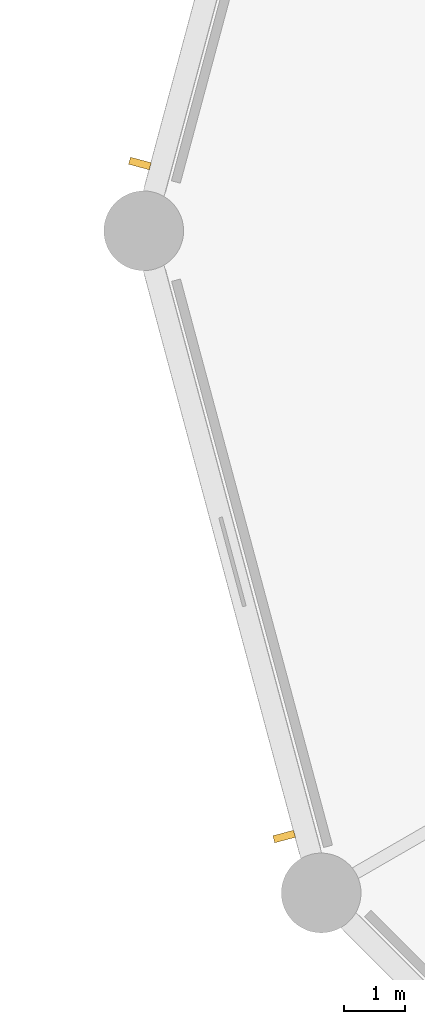
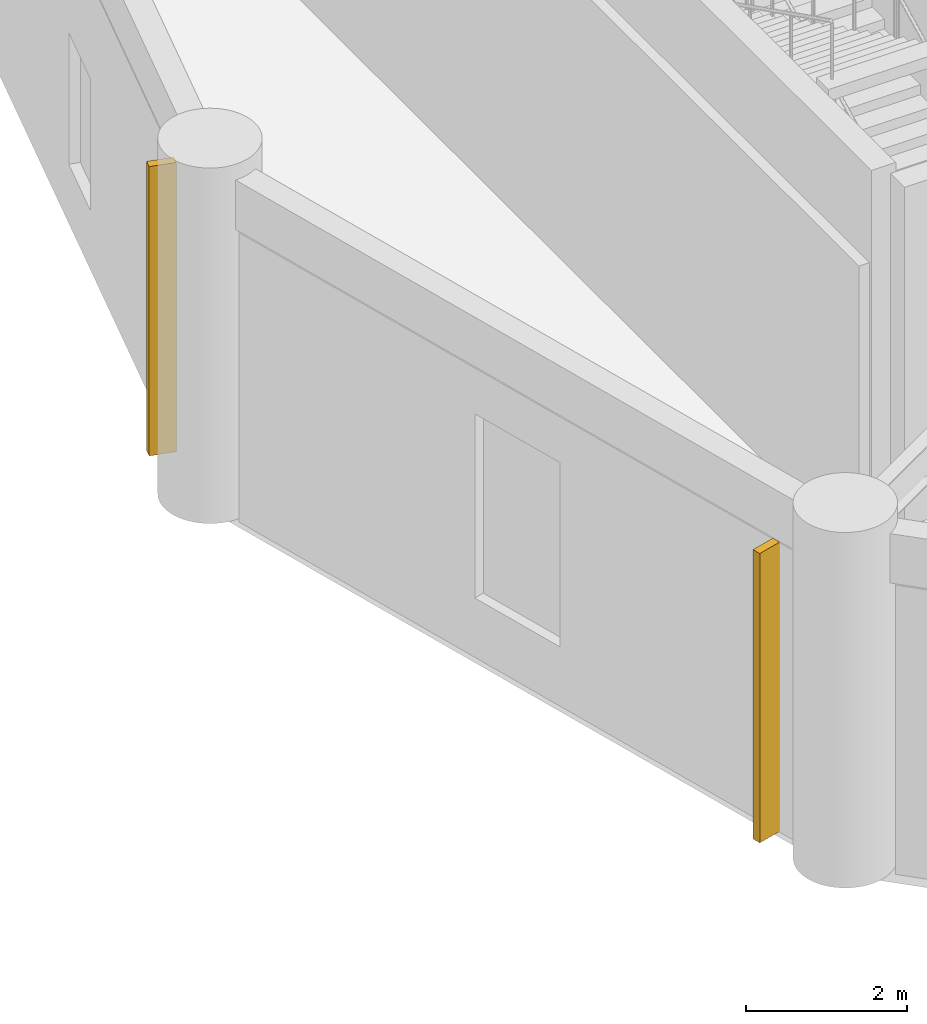
# One storey, part 146 of 155: 2 shading devices.
"""IFC4 building model written with IfcOpenShell, lengths in metres."""

from ifc_helpers import new_model, si_unit, direction, frame, origin, origin_2d, place, context, subcontext, project, spatial, rectangle, extrude, material, type_object, element, save


model = new_model("IFC4")

# Units and contexts
model_context = context("Model", 3, precision=1e-05, world=origin(), true_north=direction((0.0, 1.0)))
body_context = subcontext(model_context, "Body", "Model", "MODEL_VIEW")
ifc_project = project(units=[si_unit("LENGTHUNIT", "METRE"), si_unit("AREAUNIT", "SQUARE_METRE"), si_unit("VOLUMEUNIT", "CUBIC_METRE"), si_unit("PLANEANGLEUNIT", "RADIAN"), si_unit("MASSUNIT", "GRAM", prefix="KILO")], contexts=[model_context])

# Site, building, storey
site_placement = place(None, origin())
site = spatial("IfcSite", under=ifc_project, at=site_placement, CompositionType="ELEMENT")
building_placement = place(site_placement, origin())
building = spatial("IfcBuilding", under=site, at=building_placement, Name="Haizhuo Lancet Aquarium", CompositionType="ELEMENT")
storey_placement = place(building_placement, frame((0.0, 0.0, 10.800048828125)))
storey = spatial("IfcBuildingStorey", under=building, at=storey_placement, Name="L02", CompositionType="ELEMENT", Elevation=10.800048828125)

# Shading devices
ifc_material = material(Name="Shandong Grey Limestone Ashlar", Category="masonry")
shading_device_type = type_object("IfcShadingDeviceType", Name="SHD-LAN-FIN", PredefinedType="JALOUSIE", material=ifc_material)
for number, where, z_axis, x_axis, name in (
    (1, (-21.6630859375, 1.097900390625, 0.00048828125), (0.0, 0.0, 1.0), (0.25879394043, 0.965932552716, 0.0), "L02 Gothic lancet stone solar fin 18"),
    (2, (-19.31005859375, -9.8798828125, 0.00048828125), (0.0, 0.0, 1.0), (-0.25879394043, 0.965932552716, 0.0), "L02 Gothic lancet stone solar fin 19"),
):
    element("IfcShadingDevice", number, at=place(storey_placement, frame(where, z_axis=z_axis, x_axis=x_axis)), inside=storey, type_object=shading_device_type, material=ifc_material, Name=name, PredefinedType="JALOUSIE", context=body_context, shape_type="SweptSolid", body=[
        extrude(rectangle(XDim=0.1201171875, YDim=0.35009765625, at=origin_2d()), origin(), (0.0, 0.0, 1.0), 4.39501953125),
    ])

save(model, "model.ifc")
